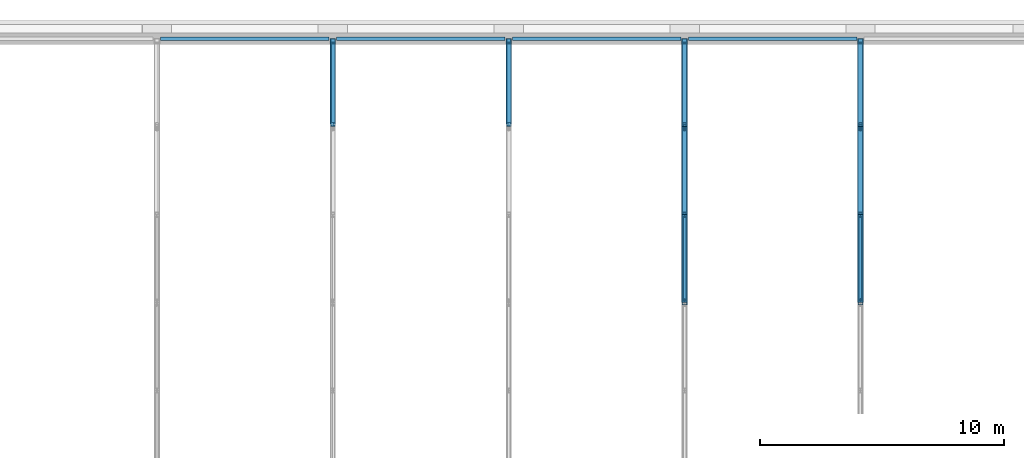
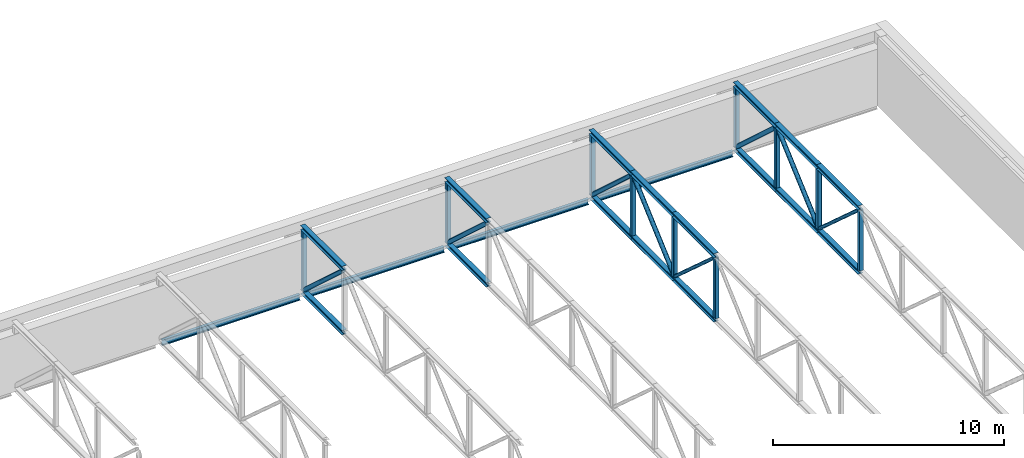
# One storey, part 78 of 142: 34 members, 4 beams.
"""IFC4 building model written with IfcOpenShell, lengths in metres."""

from ifc_helpers import new_model, si_unit, direction, frame, origin, origin_2d, place, context, subcontext, project, spatial, hollow_rectangle, hollow_circle, i_section, extrude, material, material_profile, profile_set, type_object, element, save


model = new_model("IFC4")

# Units and contexts
model_context = context("Model", 3, precision=1e-05, world=origin(), true_north=direction((0.0, 1.0)))
body_context = subcontext(model_context, "Body", "Model", "MODEL_VIEW")
ifc_project = project(units=[si_unit("LENGTHUNIT", "METRE"), si_unit("AREAUNIT", "SQUARE_METRE"), si_unit("VOLUMEUNIT", "CUBIC_METRE"), si_unit("PLANEANGLEUNIT", "RADIAN"), si_unit("MASSUNIT", "GRAM", prefix="KILO")], contexts=[model_context])

# Site, building, storey
site_placement = place(None, origin())
site = spatial("IfcSite", under=ifc_project, at=site_placement, CompositionType="ELEMENT")
building_placement = place(site_placement, origin())
building = spatial("IfcBuilding", under=site, at=building_placement, Name="Kupolbacken Congress Centre", CompositionType="ELEMENT")
storey_placement = place(building_placement, frame((0.0, 0.0, 14.39990234375)))
storey = spatial("IfcBuildingStorey", under=building, at=storey_placement, Name="L04", CompositionType="ELEMENT", Elevation=14.39990234375)

# Beams
ifc_material_1 = material(Name="Steel S355", Category="steel")
ifc_material_profile_1 = material_profile(ifc_material_1, i_section(OverallWidth=0.14990234375, OverallDepth=0.300048828125, WebThickness=0.007080078125, FlangeThickness=0.0107421875, FilletRadius=0.014892578125, at=origin_2d()), Name="IPE 300")
ifc_profile_set_1 = profile_set([ifc_material_profile_1], Name="Steel S355")
beam_type = type_object("IfcBeamType", Name="B04 beam IPE 300", PredefinedType="BEAM", material=ifc_profile_set_1)
beam_1_placement = place(storey_placement, frame((165.75, 151.199951171875, -0.14990234375), z_axis=(1.0, 0.0, 0.0), x_axis=(0.0, 1.0, 0.0)))
element("IfcBeam", 1, at=beam_1_placement, inside=storey, type_object=beam_type, Name="Edge girder", PredefinedType="BEAM", context=body_context, shape_type="SweptSolid", body=[
    extrude(i_section(OverallWidth=0.14990234375, OverallDepth=0.300048828125, WebThickness=0.007080078125, FlangeThickness=0.0107421875, FilletRadius=0.014892578125, at=origin_2d()), origin(), (0.0, 0.0, 1.0), 6.89990234375),
])
for number, where, z_axis, x_axis, name in (
    (2, (172.949951171875, 151.199951171875, -0.14990234375), (1.0, 0.0, 0.0), (0.0, 1.0, 0.0), "Edge girder"),
    (3, (180.14990234375, 151.199951171875, -0.14990234375), (1.0, 0.0, 0.0), (0.0, 1.0, 0.0), "Edge girder"),
):
    element("IfcBeam", number, at=place(storey_placement, frame(where, z_axis=z_axis, x_axis=x_axis)), inside=storey, type_object=beam_type, Name=name, PredefinedType="BEAM", context=body_context, shape_type="SweptSolid", body=[
        extrude(i_section(OverallWidth=0.14990234375, OverallDepth=0.300048828125, WebThickness=0.007080078125, FlangeThickness=0.0107421875, FilletRadius=0.014892578125, at=origin_2d()), origin(), (0.0, 0.0, 1.0), 6.900146484375),
    ])
beam_2_placement = place(storey_placement, frame((187.35009765625, 151.199951171875, -0.14990234375), z_axis=(1.0, 0.0, 0.0), x_axis=(0.0, 1.0, 0.0)))
element("IfcBeam", 4, at=beam_2_placement, inside=storey, type_object=beam_type, Name="Edge girder", PredefinedType="BEAM", context=body_context, shape_type="SweptSolid", body=[
    extrude(i_section(OverallWidth=0.14990234375, OverallDepth=0.300048828125, WebThickness=0.007080078125, FlangeThickness=0.0107421875, FilletRadius=0.014892578125, at=origin_2d()), origin(), (0.0, 0.0, 1.0), 6.89990234375),
])

# Members
ifc_material_2 = material(Name="Steel S355", Category="steel")
ifc_material_profile_2 = material_profile(ifc_material_2, hollow_circle(Radius=0.109619140625, WallThickness=0.010009765625, at=origin_2d()), Name="CHS 219.1 x 10")
ifc_profile_set_2 = profile_set([ifc_material_profile_2], Name="Steel S355")
member_type_1 = type_object("IfcMemberType", Name="M05 transfer truss web CHS 219.1 x 10", PredefinedType="BRACE", material=ifc_profile_set_2)
for number, where, z_axis, x_axis, name in (
    (5, (172.800048828125, 147.699951171875, 3.30078125), (0.0, 0.738665296168, -0.674072385013), (-1.0, 0.0, 0.0), "BT/B4/D08"),
    (6, (180.0, 147.699951171875, 3.30078125), (0.0, 0.738665296168, -0.674072385013), (-1.0, 0.0, 0.0), "BT/B5/D08"),
):
    element("IfcMember", number, at=place(storey_placement, frame(where, z_axis=z_axis, x_axis=x_axis)), inside=storey, type_object=member_type_1, Name=name, PredefinedType="BRACE", context=body_context, shape_type="SweptSolid", body=[
        extrude(hollow_circle(Radius=0.109619140625, WallThickness=0.010009765625, at=origin_2d()), origin(), (0.0, 0.0, 1.0), 4.467529296875),
    ])
member_1_placement = place(storey_placement, frame((187.199951171875, 144.10009765625, 0.29052734375), z_axis=(0.0, 0.748813846758, 0.662780373053), x_axis=(-1.0, 0.0, 0.0)))
element("IfcMember", 7, at=member_1_placement, inside=storey, type_object=member_type_1, Name="BT/B6/D07", PredefinedType="BRACE", context=body_context, shape_type="SweptSolid", body=[
    extrude(hollow_circle(Radius=0.109619140625, WallThickness=0.010009765625, at=origin_2d()), origin(), (0.0, 0.0, 1.0), 4.540283203125),
])
member_2_placement = place(storey_placement, frame((187.199951171875, 147.699951171875, 3.30078125), z_axis=(0.0, 0.738665296168, -0.674072385013), x_axis=(-1.0, 0.0, 0.0)))
element("IfcMember", 8, at=member_2_placement, inside=storey, type_object=member_type_1, Name="BT/B6/D08", PredefinedType="BRACE", context=body_context, shape_type="SweptSolid", body=[
    extrude(hollow_circle(Radius=0.109619140625, WallThickness=0.010009765625, at=origin_2d()), origin(), (0.0, 0.0, 1.0), 4.467529296875),
])
member_3_placement = place(storey_placement, frame((194.39990234375, 144.10009765625, 0.29052734375), z_axis=(0.0, 0.748813846758, 0.662780373053), x_axis=(-1.0, 0.0, 0.0)))
element("IfcMember", 9, at=member_3_placement, inside=storey, type_object=member_type_1, Name="BT/B7/D07", PredefinedType="BRACE", context=body_context, shape_type="SweptSolid", body=[
    extrude(hollow_circle(Radius=0.109619140625, WallThickness=0.010009765625, at=origin_2d()), origin(), (0.0, 0.0, 1.0), 4.540283203125),
])
member_4_placement = place(storey_placement, frame((194.39990234375, 147.699951171875, 3.30078125), z_axis=(0.0, 0.738665296168, -0.674072385013), x_axis=(-1.0, 0.0, 0.0)))
element("IfcMember", 10, at=member_4_placement, inside=storey, type_object=member_type_1, Name="BT/B7/D08", PredefinedType="BRACE", context=body_context, shape_type="SweptSolid", body=[
    extrude(hollow_circle(Radius=0.109619140625, WallThickness=0.010009765625, at=origin_2d()), origin(), (0.0, 0.0, 1.0), 4.467529296875),
])
ifc_material_3 = material(Name="Steel S355", Category="steel")
ifc_material_profile_3 = material_profile(ifc_material_3, hollow_circle(Radius=0.084228515625, WallThickness=0.008056640625, at=origin_2d()), Name="CHS 168.3 x 8")
ifc_profile_set_3 = profile_set([ifc_material_profile_3], Name="Steel S355")
member_type_2 = type_object("IfcMemberType", Name="M06 transfer truss web CHS 168.3 x 8", PredefinedType="BRACE", material=ifc_profile_set_3)
for number, where, z_axis, x_axis, name in (
    (11, (187.199951171875, 140.5, 3.318359375), (0.0, 0.744738982007, -0.667355863598), (-1.0, 0.0, 0.0), "BT/B6/D06"),
    (12, (194.39990234375, 140.5, 3.318359375), (0.0, 0.744738982007, -0.667355863598), (-1.0, 0.0, 0.0), "BT/B7/D06"),
):
    element("IfcMember", number, at=place(storey_placement, frame(where, z_axis=z_axis, x_axis=x_axis)), inside=storey, type_object=member_type_2, Name=name, PredefinedType="BRACE", context=body_context, shape_type="SweptSolid", body=[
        extrude(hollow_circle(Radius=0.084228515625, WallThickness=0.008056640625, at=origin_2d()), origin(), (0.0, 0.0, 1.0), 4.565185546875),
    ])
ifc_material_4 = material(Name="Steel S355", Category="steel")
ifc_material_profile_4 = material_profile(ifc_material_4, i_section(OverallWidth=0.239990234375, OverallDepth=0.22998046875, WebThickness=0.007568359375, FlangeThickness=0.011962890625, FilletRadius=0.02099609375, at=origin_2d()), Name="HEA 240")
ifc_profile_set_4 = profile_set([ifc_material_profile_4], Name="Steel S355")
member_type_3 = type_object("IfcMemberType", Name="M07 transfer truss chord HEA 240", PredefinedType="CHORD", material=ifc_profile_set_4)
for number, where, z_axis, x_axis, name in (
    (13, (172.800048828125, 147.60009765625, 0.10498046875), (0.0, 1.0, 0.0), (-1.0, 0.0, 0.0), "BT/B4/BC08"),
    (14, (172.800048828125, 147.60009765625, 3.485107421875), (0.0, 1.0, 0.0), (-1.0, 0.0, 0.0), "BT/B4/TC08"),
    (15, (180.0, 147.60009765625, 0.10498046875), (0.0, 1.0, 0.0), (-1.0, 0.0, 0.0), "BT/B5/BC08"),
    (16, (180.0, 147.60009765625, 3.485107421875), (0.0, 1.0, 0.0), (-1.0, 0.0, 0.0), "BT/B5/TC08"),
):
    element("IfcMember", number, at=place(storey_placement, frame(where, z_axis=z_axis, x_axis=x_axis)), inside=storey, type_object=member_type_3, Name=name, PredefinedType="CHORD", context=body_context, shape_type="SweptSolid", body=[
        extrude(i_section(OverallWidth=0.239990234375, OverallDepth=0.22998046875, WebThickness=0.007568359375, FlangeThickness=0.011962890625, FilletRadius=0.02099609375, at=origin_2d()), origin(), (0.0, 0.0, 1.0), 3.599853515625),
    ])
for number, where, z_axis, x_axis, name in (
    (17, (187.199951171875, 140.39990234375, 0.10498046875), (0.0, 1.0, 0.0), (-1.0, 0.0, 0.0), "BT/B6/BC06"),
    (18, (187.199951171875, 140.39990234375, 3.485107421875), (0.0, 1.0, 0.0), (-1.0, 0.0, 0.0), "BT/B6/TC06"),
    (19, (187.199951171875, 144.0, 0.10498046875), (0.0, 1.0, 0.0), (-1.0, 0.0, 0.0), "BT/B6/BC07"),
    (20, (187.199951171875, 144.0, 3.485107421875), (0.0, 1.0, 0.0), (-1.0, 0.0, 0.0), "BT/B6/TC07"),
):
    element("IfcMember", number, at=place(storey_placement, frame(where, z_axis=z_axis, x_axis=x_axis)), inside=storey, type_object=member_type_3, Name=name, PredefinedType="CHORD", context=body_context, shape_type="SweptSolid", body=[
        extrude(i_section(OverallWidth=0.239990234375, OverallDepth=0.22998046875, WebThickness=0.007568359375, FlangeThickness=0.011962890625, FilletRadius=0.02099609375, at=origin_2d()), origin(), (0.0, 0.0, 1.0), 3.60009765625),
    ])
for number, where, z_axis, x_axis, name in (
    (21, (187.199951171875, 147.60009765625, 0.10498046875), (0.0, 1.0, 0.0), (-1.0, 0.0, 0.0), "BT/B6/BC08"),
    (22, (187.199951171875, 147.60009765625, 3.485107421875), (0.0, 1.0, 0.0), (-1.0, 0.0, 0.0), "BT/B6/TC08"),
):
    element("IfcMember", number, at=place(storey_placement, frame(where, z_axis=z_axis, x_axis=x_axis)), inside=storey, type_object=member_type_3, Name=name, PredefinedType="CHORD", context=body_context, shape_type="SweptSolid", body=[
        extrude(i_section(OverallWidth=0.239990234375, OverallDepth=0.22998046875, WebThickness=0.007568359375, FlangeThickness=0.011962890625, FilletRadius=0.02099609375, at=origin_2d()), origin(), (0.0, 0.0, 1.0), 3.599853515625),
    ])
for number, where, z_axis, x_axis, name in (
    (23, (194.39990234375, 140.39990234375, 0.10498046875), (0.0, 1.0, 0.0), (-1.0, 0.0, 0.0), "BT/B7/BC06"),
    (24, (194.39990234375, 140.39990234375, 3.485107421875), (0.0, 1.0, 0.0), (-1.0, 0.0, 0.0), "BT/B7/TC06"),
    (25, (194.39990234375, 144.0, 0.10498046875), (0.0, 1.0, 0.0), (-1.0, 0.0, 0.0), "BT/B7/BC07"),
    (26, (194.39990234375, 144.0, 3.485107421875), (0.0, 1.0, 0.0), (-1.0, 0.0, 0.0), "BT/B7/TC07"),
):
    element("IfcMember", number, at=place(storey_placement, frame(where, z_axis=z_axis, x_axis=x_axis)), inside=storey, type_object=member_type_3, Name=name, PredefinedType="CHORD", context=body_context, shape_type="SweptSolid", body=[
        extrude(i_section(OverallWidth=0.239990234375, OverallDepth=0.22998046875, WebThickness=0.007568359375, FlangeThickness=0.011962890625, FilletRadius=0.02099609375, at=origin_2d()), origin(), (0.0, 0.0, 1.0), 3.60009765625),
    ])
for number, where, z_axis, x_axis, name in (
    (27, (194.39990234375, 147.60009765625, 0.10498046875), (0.0, 1.0, 0.0), (-1.0, 0.0, 0.0), "BT/B7/BC08"),
    (28, (194.39990234375, 147.60009765625, 3.485107421875), (0.0, 1.0, 0.0), (-1.0, 0.0, 0.0), "BT/B7/TC08"),
):
    element("IfcMember", number, at=place(storey_placement, frame(where, z_axis=z_axis, x_axis=x_axis)), inside=storey, type_object=member_type_3, Name=name, PredefinedType="CHORD", context=body_context, shape_type="SweptSolid", body=[
        extrude(i_section(OverallWidth=0.239990234375, OverallDepth=0.22998046875, WebThickness=0.007568359375, FlangeThickness=0.011962890625, FilletRadius=0.02099609375, at=origin_2d()), origin(), (0.0, 0.0, 1.0), 3.599853515625),
    ])
ifc_material_5 = material(Name="Steel S355", Category="steel")
ifc_material_profile_5 = material_profile(ifc_material_5, hollow_rectangle(XDim=0.199951171875, YDim=0.199951171875, WallThickness=0.010009765625, InnerFilletRadius=0.010009765625, OuterFilletRadius=0.014892578125, at=origin_2d()), Name="SHS 200 x 200 x 10")
ifc_profile_set_5 = profile_set([ifc_material_profile_5], Name="Steel S355")
member_type_4 = type_object("IfcMemberType", Name="M10 transfer truss post SHS 200 x 200 x 10", PredefinedType="STRUT", material=ifc_profile_set_5)
for number, where, z_axis, x_axis, name in (
    (29, (172.800048828125, 151.10009765625, 0.210205078125), (0.0, 0.0, 1.0), (0.0, 1.0, 0.0), "BT/B4/P08"),
    (30, (180.0, 151.10009765625, 0.210205078125), (0.0, 0.0, 1.0), (0.0, 1.0, 0.0), "BT/B5/P08"),
    (31, (187.199951171875, 140.39990234375, 0.210205078125), (0.0, 0.0, 1.0), (0.0, 1.0, 0.0), "BT/B6/P05"),
    (32, (187.199951171875, 144.0, 0.210205078125), (0.0, 0.0, 1.0), (0.0, 1.0, 0.0), "BT/B6/P06"),
    (33, (187.199951171875, 147.60009765625, 0.210205078125), (0.0, 0.0, 1.0), (0.0, 1.0, 0.0), "BT/B6/P07"),
    (34, (187.199951171875, 151.10009765625, 0.210205078125), (0.0, 0.0, 1.0), (0.0, 1.0, 0.0), "BT/B6/P08"),
    (35, (194.39990234375, 140.39990234375, 0.210205078125), (0.0, 0.0, 1.0), (0.0, 1.0, 0.0), "BT/B7/P05"),
    (36, (194.39990234375, 144.0, 0.210205078125), (0.0, 0.0, 1.0), (0.0, 1.0, 0.0), "BT/B7/P06"),
    (37, (194.39990234375, 147.60009765625, 0.210205078125), (0.0, 0.0, 1.0), (0.0, 1.0, 0.0), "BT/B7/P07"),
    (38, (194.39990234375, 151.10009765625, 0.210205078125), (0.0, 0.0, 1.0), (0.0, 1.0, 0.0), "BT/B7/P08"),
):
    element("IfcMember", number, at=place(storey_placement, frame(where, z_axis=z_axis, x_axis=x_axis)), inside=storey, type_object=member_type_4, Name=name, PredefinedType="STRUT", context=body_context, shape_type="SweptSolid", body=[
        extrude(hollow_rectangle(XDim=0.199951171875, YDim=0.199951171875, WallThickness=0.010009765625, InnerFilletRadius=0.010009765625, OuterFilletRadius=0.014892578125, at=origin_2d()), origin(), (0.0, 0.0, 1.0), 3.169921875),
    ])

save(model, "model.ifc")
